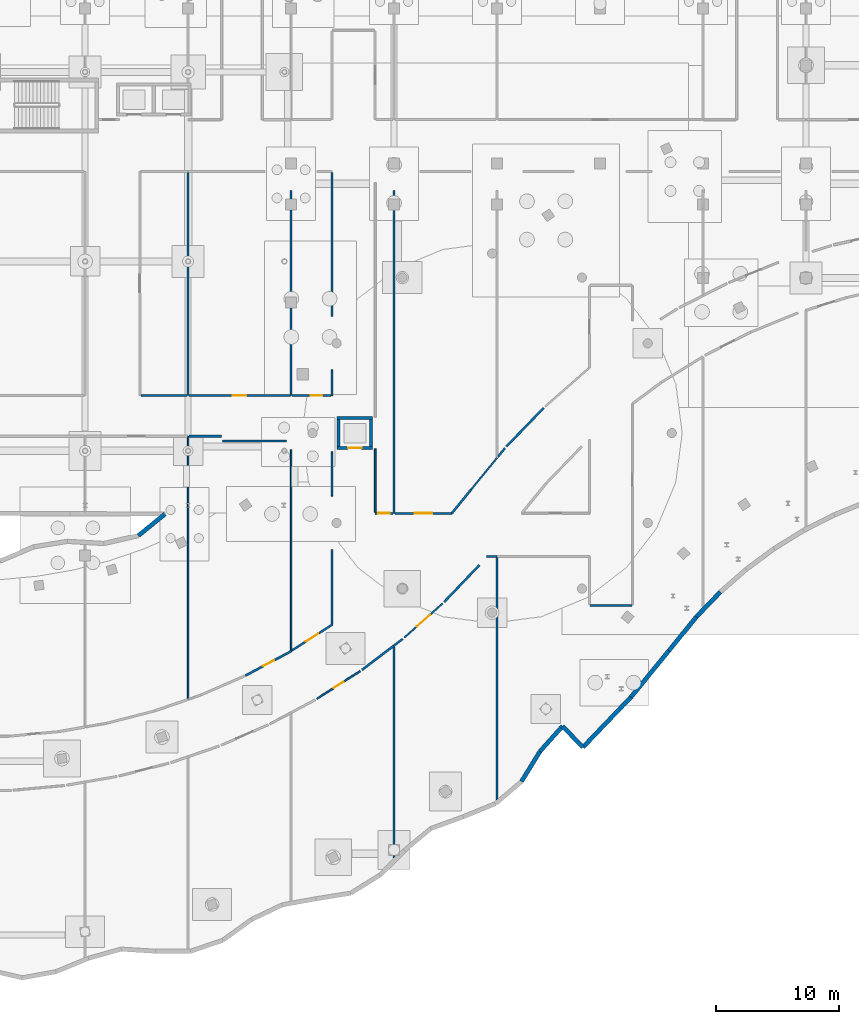
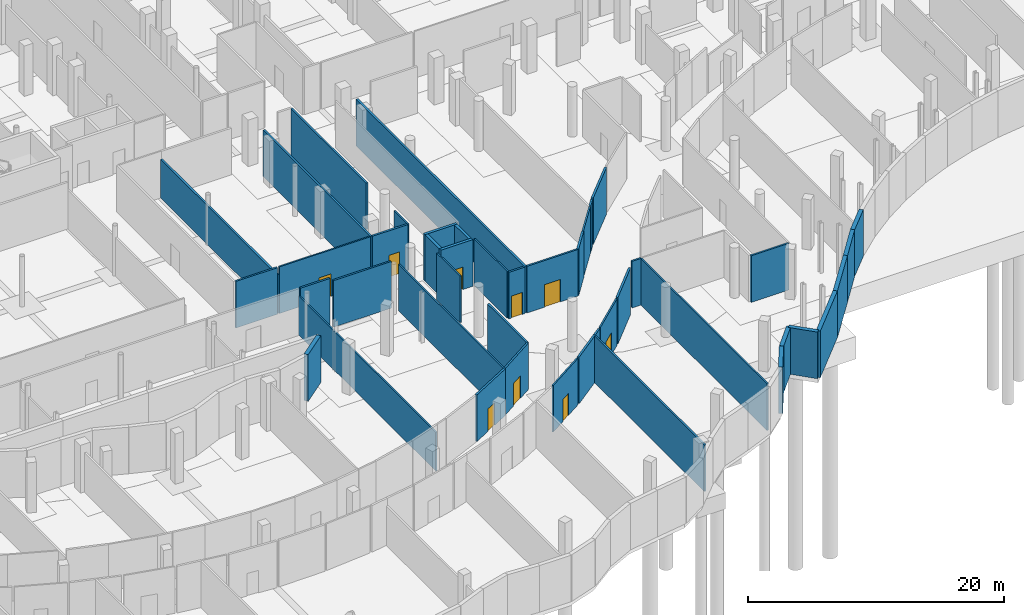
# One storey, part 28 of 45: 44 walls, 9 doors, 9 openings.
"""IFC4 building model written with IfcOpenShell, lengths in metres."""

from ifc_helpers import new_model, si_unit, direction, frame, frame_2d, origin, place, context, subcontext, project, spatial, rectangle, extrude, material, layer, layer_set, type_object, element, fill, save


model = new_model("IFC4")

# Units and contexts
model_context = context("Model", 3, precision=1e-05, world=origin(), true_north=direction((0.0, 1.0)))
body_context = subcontext(model_context, "Body", "Model", "MODEL_VIEW")
ifc_project = project(units=[si_unit("LENGTHUNIT", "METRE"), si_unit("AREAUNIT", "SQUARE_METRE"), si_unit("VOLUMEUNIT", "CUBIC_METRE"), si_unit("PLANEANGLEUNIT", "RADIAN"), si_unit("MASSUNIT", "GRAM", prefix="KILO")], contexts=[model_context])

# Site, building, storey
site_placement = place(None, origin())
site = spatial("IfcSite", under=ifc_project, at=site_placement, CompositionType="ELEMENT")
building_placement = place(site_placement, origin())
building = spatial("IfcBuilding", under=site, at=building_placement, Name="Selatvlak General Hospital", CompositionType="ELEMENT")
storey_placement = place(building_placement, frame((0.0, 0.0, -4.800048828125)))
storey = spatial("IfcBuildingStorey", under=building, at=storey_placement, Name="B1", CompositionType="ELEMENT", Elevation=-4.800048828125)

# Walls
ifc_material_1 = material(Name="Concrete C45/55", Category="concrete")
ifc_layer_1 = layer(ifc_material_1, 0.35009765625, Name="Concrete C45/55", Category="concrete")
ifc_layer_set_1 = layer_set([ifc_layer_1], Name="Concrete C45/55")
wall_type_1 = type_object("IfcWallType", Name="WALL-EW-05", PredefinedType="SHEAR", material=ifc_layer_set_1)
wall_1_placement = place(storey_placement, frame((116.616943359375, 41.0439453125, 0.0), z_axis=(0.0, 0.0, 1.0), x_axis=(-0.694723020802, -0.719277362613, 0.0)))
element("IfcWall", 1, at=wall_1_placement, inside=storey, type_object=wall_type_1, Name="B1 retaining wall 0069", PredefinedType="SHEAR", context=body_context, shape_type="SweptSolid", body=[
    extrude(rectangle(XDim=2.813720703125, YDim=0.35009765625, at=frame_2d((1.40673828125, 0.0))), origin(), (0.0, 0.0, 1.0), 4.449951171875),
])
wall_2_placement = place(storey_placement, frame((114.662109375, 39.02001953125, 0.0), z_axis=(0.0, 0.0, 1.0), x_axis=(-0.629318152112, -0.777147774508, 0.0)))
element("IfcWall", 2, at=wall_2_placement, inside=storey, type_object=wall_type_1, Name="B1 retaining wall 0070", PredefinedType="SHEAR", context=body_context, shape_type="SweptSolid", body=[
    extrude(rectangle(XDim=3.572265625, YDim=0.35009765625, at=frame_2d((1.7861328125, 0.0))), origin(), (0.0, 0.0, 1.0), 4.449951171875),
])
wall_3_placement = place(storey_placement, frame((112.4140625, 36.243896484375, 0.0), z_axis=(0.0, 0.0, 1.0), x_axis=(-0.633691233054, -0.773586078695, 0.0)))
element("IfcWall", 3, at=wall_3_placement, inside=storey, type_object=wall_type_1, Name="B1 retaining wall 0071", PredefinedType="SHEAR", context=body_context, shape_type="SweptSolid", body=[
    extrude(rectangle(XDim=4.895263671875, YDim=0.35009765625, at=frame_2d((2.44775390625, 0.0))), origin(), (0.0, 0.0, 1.0), 4.449951171875),
])
wall_4_placement = place(storey_placement, frame((109.31201171875, 32.45703125, 0.0), z_axis=(0.0, 0.0, 1.0), x_axis=(-0.690925489778, -0.722925976553, 0.0)))
element("IfcWall", 4, at=wall_4_placement, inside=storey, type_object=wall_type_1, Name="B1 retaining wall 0072", PredefinedType="SHEAR", context=body_context, shape_type="SweptSolid", body=[
    extrude(rectangle(XDim=5.6533203125, YDim=0.35009765625, at=frame_2d((2.82666015625, 0.0))), origin(), (0.0, 0.0, 1.0), 4.449951171875),
])
wall_5_placement = place(storey_placement, frame((105.406005859375, 28.3701171875, 0.0), z_axis=(0.0, 0.0, 1.0), x_axis=(-0.6951257728, 0.7188881415, 0.0)))
element("IfcWall", 5, at=wall_5_placement, inside=storey, type_object=wall_type_1, Name="B1 retaining wall 0073", PredefinedType="SHEAR", context=body_context, shape_type="SweptSolid", body=[
    extrude(rectangle(XDim=2.393798828125, YDim=0.35009765625, at=frame_2d((1.19677734375, 0.0))), origin(), (0.0, 0.0, 1.0), 4.449951171875),
])
wall_6_placement = place(storey_placement, frame((103.741943359375, 30.091064453125, 0.0), z_axis=(0.0, 0.0, 1.0), x_axis=(-0.666586745442, -0.745427468505, 0.0)))
element("IfcWall", 6, at=wall_6_placement, inside=storey, type_object=wall_type_1, Name="B1 retaining wall 0074", PredefinedType="SHEAR", context=body_context, shape_type="SweptSolid", body=[
    extrude(rectangle(XDim=2.74365234375, YDim=0.35009765625, at=frame_2d((1.371826171875, 0.0))), origin(), (0.0, 0.0, 1.0), 4.449951171875),
])
wall_7_placement = place(storey_placement, frame((101.9130859375, 28.0458984375, 0.0), z_axis=(0.0, 0.0, 1.0), x_axis=(-0.523712280497, -0.851895209082, 0.0)))
element("IfcWall", 7, at=wall_7_placement, inside=storey, type_object=wall_type_1, Name="B1 retaining wall 0075", PredefinedType="SHEAR", context=body_context, shape_type="SweptSolid", body=[
    extrude(rectangle(XDim=2.900634765625, YDim=0.35009765625, at=frame_2d((1.4501953125, 0.0))), origin(), (0.0, 0.0, 1.0), 4.449951171875),
])
wall_8_placement = place(storey_placement, frame((69.14208984375, 45.639892578125, 0.0), z_axis=(0.0, 0.0, 1.0), x_axis=(0.77670123909, 0.629869181017, 0.0)))
element("IfcWall", 8, at=wall_8_placement, inside=storey, type_object=wall_type_1, Name="B1 retaining wall 0133", PredefinedType="SHEAR", context=body_context, shape_type="SweptSolid", body=[
    extrude(rectangle(XDim=2.783447265625, YDim=0.35009765625, at=frame_2d((1.3916015625, 0.0))), origin(), (0.0, 0.0, 1.0), 4.449951171875),
])
ifc_material_2 = material(Name="Acoustic gypsum stud partition")
ifc_layer_2 = layer(ifc_material_2, 0.179931640625, Name="Acoustic gypsum stud partition")
ifc_layer_set_2 = layer_set([ifc_layer_2], Name="Acoustic gypsum stud partition")
wall_type_2 = type_object("IfcWallType", Name="WALL-PT-01", PredefinedType="PARTITIONING", material=ifc_layer_set_2)
wall_9_placement = place(storey_placement, frame((73.199951171875, 75.27587890625, 0.0), z_axis=(0.0, 0.0, 1.0), x_axis=(0.0, -1.0, 0.0)))
element("IfcWall", 9, at=wall_9_placement, inside=storey, type_object=wall_type_2, Name="B1 clinical partition PT-B1-0099", PredefinedType="PARTITIONING", context=body_context, shape_type="SweptSolid", body=[
    extrude(rectangle(XDim=18.2158203125, YDim=0.179931640625, at=frame_2d((9.10791015625, 0.0))), origin(), (0.0, 0.0, 1.0), 3.699951171875),
])

# Wall, opening, door
wall_10_placement = place(storey_placement, frame((81.638916015625, 36.22607421875, 0.0), z_axis=(0.0, 0.0, 1.0), x_axis=(-0.882373557975, -0.470549576758, 0.0)))
wall_10 = element("IfcWall", 10, at=wall_10_placement, inside=storey, type_object=wall_type_2, Name="B1 clinical partition PT-B1-0108", PredefinedType="PARTITIONING", context=body_context, shape_type="SweptSolid", body=[
    extrude(rectangle(XDim=4.26123046875, YDim=0.179931640625, at=frame_2d((2.130615234375, 0.0))), origin(), (0.0, 0.0, 1.0), 4.449951171875),
])
opening_1_placement = place(wall_10_placement, frame((1.631103515625, 0.0, 0.0)))
opening_1 = element("IfcOpeningElement", 11, at=opening_1_placement, cuts=wall_10, Name="Opening D-21", PredefinedType="OPENING", context=body_context, shape_type="SweptSolid", body=[
    extrude(rectangle(XDim=1.0, YDim=2.14990234375, at=frame_2d((0.5, 1.074951171875))), frame((0.0, 0.099853515625, 0.0), z_axis=(0.0, -1.0, 0.0), x_axis=(1.0, 0.0, 0.0)), (0.0, 0.0, 1.0), 0.199951171875),
])
ifc_material_3 = material(Name="Laboratory fire door")
door_type_1 = type_object("IfcDoorType", Name="DOOR-D-21", OperationType="NOTDEFINED", PredefinedType="DOOR", material=ifc_material_3)
door_1_placement = place(opening_1_placement, origin())
door_1 = element("IfcDoor", 12, at=door_1_placement, inside=storey, type_object=door_type_1, Name="B1 Biomedical Supply Store 21 door", OperationType="SINGLE_SWING_RIGHT", OverallHeight=2.14990234375, OverallWidth=1.0, PredefinedType="DOOR", context=body_context, shape_type="SweptSolid", body=[
    extrude(rectangle(XDim=1.0, YDim=2.14990234375, at=frame_2d((0.5, 1.074951171875))), frame((0.0, 0.02490234375, 0.0), z_axis=(0.0, -1.0, 0.0), x_axis=(1.0, 0.0, 0.0)), (0.0, 0.0, 1.0), 0.050048828125),
])
fill(opening_1, door_1)

# Walls
wall_11_placement = place(storey_placement, frame((73.263916015625, 53.739990234375, 0.0), z_axis=(0.0, 0.0, 1.0), x_axis=(1.0, 0.0, 0.0)))
element("IfcWall", 13, at=wall_11_placement, inside=storey, type_object=wall_type_2, Name="B1 clinical partition PT-B1-0111", PredefinedType="PARTITIONING", context=body_context, shape_type="SweptSolid", body=[
    extrude(rectangle(XDim=2.676025390625, YDim=0.179931640625, at=frame_2d((1.337890625, 0.0))), origin(), (0.0, 0.0, 1.0), 4.449951171875),
])
wall_12_placement = place(storey_placement, frame((87.376953125, 34.68310546875, 0.0), z_axis=(0.0, 0.0, 1.0), x_axis=(0.796534911727, 0.604592535846, 0.0)))
element("IfcWall", 14, at=wall_12_placement, inside=storey, type_object=wall_type_2, Name="B1 clinical partition PT-B1-0117", PredefinedType="PARTITIONING", context=body_context, shape_type="SweptSolid", body=[
    extrude(rectangle(XDim=3.29296875, YDim=0.179931640625, at=frame_2d((1.646484375, 0.0))), origin(), (0.0, 0.0, 1.0), 4.449951171875),
])
wall_13_placement = place(storey_placement, frame((84.93994140625, 44.4990234375, 0.0), z_axis=(0.0, 0.0, 1.0), x_axis=(0.0, -1.0, 0.0)))
element("IfcWall", 15, at=wall_13_placement, inside=storey, type_object=wall_type_2, Name="B1 clinical partition PT-B1-0120", PredefinedType="PARTITIONING", context=body_context, shape_type="SweptSolid", body=[
    extrude(rectangle(XDim=6.115966796875, YDim=0.179931640625, at=frame_2d((3.05810546875, 0.0))), origin(), (0.0, 0.0, 1.0), 4.449951171875),
])
wall_14_placement = place(storey_placement, frame((90.0, 73.7900390625, 0.0), z_axis=(0.0, 0.0, 1.0), x_axis=(0.0, -1.0, 0.0)))
element("IfcWall", 16, at=wall_14_placement, inside=storey, type_object=wall_type_2, Name="B1 clinical partition PT-B1-0123", PredefinedType="PARTITIONING", context=body_context, shape_type="SweptSolid", body=[
    extrude(rectangle(XDim=26.330078125, YDim=0.179931640625, at=frame_2d((13.1650390625, 0.0))), origin(), (0.0, 0.0, 1.0), 4.449951171875),
])

# Wall, opening, door
wall_15_placement = place(storey_placement, frame((84.8759765625, 57.06005859375, 0.0), z_axis=(0.0, 0.0, 1.0), x_axis=(-1.0, 0.0, 0.0)))
wall_15 = element("IfcWall", 17, at=wall_15_placement, inside=storey, type_object=wall_type_2, Name="B1 clinical partition PT-B1-0129", PredefinedType="PARTITIONING", context=body_context, shape_type="SweptSolid", body=[
    extrude(rectangle(XDim=3.197998046875, YDim=0.179931640625, at=frame_2d((1.59912109375, 0.0))), origin(), (0.0, 0.0, 1.0), 4.449951171875),
])
opening_2_placement = place(wall_15_placement, frame((0.739990234375, 0.0, 0.0)))
opening_2 = element("IfcOpeningElement", 18, at=opening_2_placement, cuts=wall_15, Name="Opening D-02", PredefinedType="OPENING", context=body_context, shape_type="SweptSolid", body=[
    extrude(rectangle(XDim=0.949951171875, YDim=2.10009765625, at=frame_2d((0.47509765625, 1.050048828125))), frame((0.0, 0.099853515625, 0.0), z_axis=(0.0, -1.0, 0.0), x_axis=(1.0, 0.0, 0.0)), (0.0, 0.0, 1.0), 0.199951171875),
])
ifc_material_4 = material(Name="Moisture-resistant en-suite door")
door_type_2 = type_object("IfcDoorType", Name="DOOR-D-02", OperationType="NOTDEFINED", PredefinedType="DOOR", material=ifc_material_4)
door_2_placement = place(opening_2_placement, origin())
door_2 = element("IfcDoor", 19, at=door_2_placement, inside=storey, type_object=door_type_2, Name="B1 Accessible Wheelchair Parking Bay Zone 26 door", OperationType="SINGLE_SWING_LEFT", OverallHeight=2.10009765625, OverallWidth=0.949951171875, PredefinedType="DOOR", context=body_context, shape_type="SweptSolid", body=[
    extrude(rectangle(XDim=0.949951171875, YDim=2.10009765625, at=frame_2d((0.47509765625, 1.050048828125))), frame((0.0, 0.02490234375, 0.0), z_axis=(0.0, -1.0, 0.0), x_axis=(1.0, 0.0, 0.0)), (0.0, 0.0, 1.0), 0.050048828125),
])
fill(opening_2, door_2)

# Walls
wall_16_placement = place(storey_placement, frame((94.0791015625, 40.218994140625, 0.0), z_axis=(0.0, 0.0, 1.0), x_axis=(0.690956969987, 0.722895888511, 0.0)))
element("IfcWall", 20, at=wall_16_placement, inside=storey, type_object=wall_type_2, Name="B1 clinical partition PT-B1-0132", PredefinedType="PARTITIONING", context=body_context, shape_type="SweptSolid", body=[
    extrude(rectangle(XDim=4.173583984375, YDim=0.179931640625, at=frame_2d((2.0869140625, 0.0))), origin(), (0.0, 0.0, 1.0), 4.449951171875),
])
wall_17_placement = place(storey_placement, frame((96.285888671875, 49.39501953125, 0.0), z_axis=(0.0, 0.0, 1.0), x_axis=(-0.631248128611, -0.775580943632, 0.0)))
element("IfcWall", 21, at=wall_17_placement, inside=storey, type_object=wall_type_2, Name="B1 clinical partition PT-B1-0138", PredefinedType="PARTITIONING", context=body_context, shape_type="SweptSolid", body=[
    extrude(rectangle(XDim=2.494873046875, YDim=0.179931640625, at=frame_2d((1.24755859375, 0.0))), origin(), (0.0, 0.0, 1.0), 4.449951171875),
])
wall_18_placement = place(storey_placement, frame((102.194091796875, 56.04296875, 0.0), z_axis=(0.0, 0.0, 1.0), x_axis=(-0.694729493299, -0.719271111015, 0.0)))
element("IfcWall", 22, at=wall_18_placement, inside=storey, type_object=wall_type_2, Name="B1 clinical partition PT-B1-0156", PredefinedType="PARTITIONING", context=body_context, shape_type="SweptSolid", body=[
    extrude(rectangle(XDim=4.357177734375, YDim=0.179931640625, at=frame_2d((2.1787109375, 0.0))), origin(), (0.0, 0.0, 1.0), 4.449951171875),
])
ifc_layer_3 = layer(ifc_material_2, 0.1650390625, Name="Acoustic gypsum stud partition")
ifc_layer_set_3 = layer_set([ifc_layer_3], Name="Acoustic gypsum stud partition")
wall_type_3 = type_object("IfcWallType", Name="WALL-PT-02", PredefinedType="PARTITIONING", material=ifc_layer_set_3)
wall_19_placement = place(storey_placement, frame((73.114013671875, 57.06005859375, 0.0), z_axis=(0.0, 0.0, 1.0), x_axis=(-1.0, 0.0, 0.0)))
element("IfcWall", 23, at=wall_19_placement, inside=storey, type_object=wall_type_3, Name="B1 clinical partition PT-B1-0100", PredefinedType="PARTITIONING", context=body_context, shape_type="SweptSolid", body=[
    extrude(rectangle(XDim=3.77490234375, YDim=0.1650390625, at=frame_2d((1.887451171875, 0.0))), origin(), (0.0, 0.0, 1.0), 4.449951171875),
])
wall_20_placement = place(storey_placement, frame((76.0, 53.340087890625, 0.0), z_axis=(0.0, 0.0, 1.0), x_axis=(1.0, 0.0, 0.0)))
element("IfcWall", 24, at=wall_20_placement, inside=storey, type_object=wall_type_3, Name="B1 clinical partition PT-B1-0106", PredefinedType="PARTITIONING", context=body_context, shape_type="SweptSolid", body=[
    extrude(rectangle(XDim=5.241943359375, YDim=0.1650390625, at=frame_2d((2.62109375, 0.0))), origin(), (0.0, 0.0, 1.0), 4.449951171875),
])
wall_21_placement = place(storey_placement, frame((81.60009765625, 73.7900390625, 0.0), z_axis=(0.0, 0.0, 1.0), x_axis=(0.0, -1.0, 0.0)))
element("IfcWall", 25, at=wall_21_placement, inside=storey, type_object=wall_type_3, Name="B1 clinical partition PT-B1-0112", PredefinedType="PARTITIONING", context=body_context, shape_type="SweptSolid", body=[
    extrude(rectangle(XDim=16.72998046875, YDim=0.1650390625, at=frame_2d((8.364990234375, 0.0))), origin(), (0.0, 0.0, 1.0), 4.449951171875),
])
wall_22_placement = place(storey_placement, frame((90.0, 36.56591796875, 0.0), z_axis=(0.0, 0.0, 1.0), x_axis=(0.0, -1.0, 0.0)))
element("IfcWall", 26, at=wall_22_placement, inside=storey, type_object=wall_type_3, Name="B1 clinical partition PT-B1-0118", PredefinedType="PARTITIONING", context=body_context, shape_type="SweptSolid", body=[
    extrude(rectangle(XDim=17.218994140625, YDim=0.1650390625, at=frame_2d((8.609375, 0.0))), origin(), (0.0, 0.0, 1.0), 4.449951171875),
])

# Wall, opening, door
wall_23_placement = place(storey_placement, frame((84.969970703125, 38.383056640625, 0.0), z_axis=(0.0, 0.0, 1.0), x_axis=(-0.842322219396, -0.538974283906, 0.0)))
wall_23 = element("IfcWall", 27, at=wall_23_placement, inside=storey, type_object=wall_type_3, Name="B1 clinical partition PT-B1-0121", PredefinedType="PARTITIONING", context=body_context, shape_type="SweptSolid", body=[
    extrude(rectangle(XDim=3.926025390625, YDim=0.1650390625, at=frame_2d((1.962890625, 0.0))), origin(), (0.0, 0.0, 1.0), 4.449951171875),
])
opening_3_placement = place(wall_23_placement, frame((1.363037109375, 0.0, 0.0)))
opening_3 = element("IfcOpeningElement", 28, at=opening_3_placement, cuts=wall_23, Name="Opening D-07", PredefinedType="OPENING", context=body_context, shape_type="SweptSolid", body=[
    extrude(rectangle(XDim=1.199951171875, YDim=2.14990234375, at=frame_2d((0.60009765625, 1.074951171875))), frame((0.0, 0.092529296875, 0.0), z_axis=(0.0, -1.0, 0.0), x_axis=(1.0, 0.0, 0.0)), (0.0, 0.0, 1.0), 0.18505859375),
])
ifc_material_5 = material(Name="Plant and store fire door")
door_type_3 = type_object("IfcDoorType", Name="DOOR-D-07", OperationType="NOTDEFINED", PredefinedType="DOOR", material=ifc_material_5)
door_3_placement = place(opening_3_placement, origin())
door_3 = element("IfcDoor", 29, at=door_3_placement, inside=storey, type_object=door_type_3, Name="B1 Biomedical Supply Store 24 door", OperationType="SINGLE_SWING_LEFT", OverallHeight=2.14990234375, OverallWidth=1.199951171875, PredefinedType="DOOR", context=body_context, shape_type="SweptSolid", body=[
    extrude(rectangle(XDim=1.199951171875, YDim=2.14990234375, at=frame_2d((0.60009765625, 1.074951171875))), frame((0.0, 0.02490234375, 0.0), z_axis=(0.0, -1.0, 0.0), x_axis=(1.0, 0.0, 0.0)), (0.0, 0.0, 1.0), 0.050048828125),
])
fill(opening_3, door_3)

wall_24_placement = place(storey_placement, frame((89.9140625, 47.4599609375, 0.0), z_axis=(0.0, 0.0, 1.0), x_axis=(-1.0, 0.0, 0.0)))
wall_24 = element("IfcWall", 30, at=wall_24_placement, inside=storey, type_object=wall_type_3, Name="B1 clinical partition PT-B1-0124", PredefinedType="PARTITIONING", context=body_context, shape_type="SweptSolid", body=[
    extrude(rectangle(XDim=1.4541015625, YDim=0.1650390625, at=frame_2d((0.72705078125, 0.0))), origin(), (0.0, 0.0, 1.0), 4.449951171875),
])
opening_4_placement = place(wall_24_placement, frame((0.251953125, 0.0, 0.0)))
opening_4 = element("IfcOpeningElement", 31, at=opening_4_placement, cuts=wall_24, Name="Opening D-02", PredefinedType="OPENING", context=body_context, shape_type="SweptSolid", body=[
    extrude(rectangle(XDim=0.949951171875, YDim=2.10009765625, at=frame_2d((0.47509765625, 1.050048828125))), frame((0.0, 0.092529296875, 0.0), z_axis=(0.0, -1.0, 0.0), x_axis=(1.0, 0.0, 0.0)), (0.0, 0.0, 1.0), 0.18505859375),
])
door_4_placement = place(opening_4_placement, origin())
door_4 = element("IfcDoor", 32, at=door_4_placement, inside=storey, type_object=door_type_2, Name="B1 Two-Way Underground Loop Car Park Aisle 25 door", OperationType="SINGLE_SWING_RIGHT", OverallHeight=2.10009765625, OverallWidth=0.949951171875, PredefinedType="DOOR", context=body_context, shape_type="SweptSolid", body=[
    extrude(rectangle(XDim=0.949951171875, YDim=2.10009765625, at=frame_2d((0.47509765625, 1.050048828125))), frame((0.0, 0.02490234375, 0.0), z_axis=(0.0, -1.0, 0.0), x_axis=(1.0, 0.0, 0.0)), (0.0, 0.0, 1.0), 0.050048828125),
])
fill(opening_4, door_4)

# Walls
wall_25_placement = place(storey_placement, frame((84.93994140625, 75.25390625, 0.0), z_axis=(0.0, 0.0, 1.0), x_axis=(0.0, -1.0, 0.0)))
element("IfcWall", 33, at=wall_25_placement, inside=storey, type_object=wall_type_3, Name="B1 clinical partition PT-B1-0127", PredefinedType="PARTITIONING", context=body_context, shape_type="SweptSolid", body=[
    extrude(rectangle(XDim=11.7529296875, YDim=0.1650390625, at=frame_2d((5.87646484375, 0.0))), origin(), (0.0, 0.0, 1.0), 4.449951171875),
])
wall_26_placement = place(storey_placement, frame((90.0, 36.674072265625, 0.0), z_axis=(0.0, 0.0, 1.0), x_axis=(0.796962746225, 0.60402846053, 0.0)))
element("IfcWall", 34, at=wall_26_placement, inside=storey, type_object=wall_type_3, Name="B1 clinical partition PT-B1-0130", PredefinedType="PARTITIONING", context=body_context, shape_type="SweptSolid", body=[
    extrude(rectangle(XDim=0.880615234375, YDim=0.1650390625, at=frame_2d((0.4404296875, 0.0))), origin(), (0.0, 0.0, 1.0), 4.449951171875),
])
wall_27_placement = place(storey_placement, frame((97.544921875, 43.93994140625, 0.0), z_axis=(0.0, 0.0, 1.0), x_axis=(1.0, 0.0, 0.0)))
element("IfcWall", 35, at=wall_27_placement, inside=storey, type_object=wall_type_3, Name="B1 clinical partition PT-B1-0133", PredefinedType="PARTITIONING", context=body_context, shape_type="SweptSolid", body=[
    extrude(rectangle(XDim=0.85498046875, YDim=0.1650390625, at=frame_2d((0.427490234375, 0.0))), origin(), (0.0, 0.0, 1.0), 4.449951171875),
])

# Wall, opening, door
wall_28_placement = place(storey_placement, frame((94.7109375, 47.4599609375, 0.0), z_axis=(0.0, 0.0, 1.0), x_axis=(-1.0, 0.0, 0.0)))
wall_28 = element("IfcWall", 36, at=wall_28_placement, inside=storey, type_object=wall_type_3, Name="B1 clinical partition PT-B1-0139", PredefinedType="PARTITIONING", context=body_context, shape_type="SweptSolid", body=[
    extrude(rectangle(XDim=4.625, YDim=0.1650390625, at=frame_2d((2.3125, 0.0))), origin(), (0.0, 0.0, 1.0), 4.449951171875),
])
opening_5_placement = place(wall_28_placement, frame((1.5869140625, 0.0, 0.0)))
opening_5 = element("IfcOpeningElement", 37, at=opening_5_placement, cuts=wall_28, Name="Opening D-12", PredefinedType="OPENING", context=body_context, shape_type="SweptSolid", body=[
    extrude(rectangle(XDim=1.449951171875, YDim=2.14990234375, at=frame_2d((0.72509765625, 1.074951171875))), frame((0.0, 0.092529296875, 0.0), z_axis=(0.0, -1.0, 0.0), x_axis=(1.0, 0.0, 0.0)), (0.0, 0.0, 1.0), 0.18505859375),
])
ifc_material_6 = material(Name="Isolation anteroom door")
door_type_4 = type_object("IfcDoorType", Name="DOOR-D-12", OperationType="NOTDEFINED", PredefinedType="DOOR", material=ifc_material_6)
door_5_placement = place(opening_5_placement, origin())
door_5 = element("IfcDoor", 38, at=door_5_placement, inside=storey, type_object=door_type_4, Name="B1 Two-Way Underground Loop Car Park Aisle 28 door", OperationType="SINGLE_SWING_LEFT", OverallHeight=2.14990234375, OverallWidth=1.449951171875, PredefinedType="DOOR", context=body_context, shape_type="SweptSolid", body=[
    extrude(rectangle(XDim=1.449951171875, YDim=2.14990234375, at=frame_2d((0.72509765625, 1.074951171875))), frame((0.0, 0.02490234375, 0.0), z_axis=(0.0, -1.0, 0.0), x_axis=(1.0, 0.0, 0.0)), (0.0, 0.0, 1.0), 0.050048828125),
])
fill(opening_5, door_5)

# Walls
wall_29_placement = place(storey_placement, frame((106.0, 39.93994140625, 0.0), z_axis=(0.0, 0.0, 1.0), x_axis=(1.0, 0.0, 0.0)))
element("IfcWall", 39, at=wall_29_placement, inside=storey, type_object=wall_type_3, Name="B1 clinical partition PT-B1-0142", PredefinedType="PARTITIONING", context=body_context, shape_type="SweptSolid", body=[
    extrude(rectangle(XDim=3.39990234375, YDim=0.1650390625, at=frame_2d((1.699951171875, 0.0))), origin(), (0.0, 0.0, 1.0), 4.449951171875),
])
wall_30_placement = place(storey_placement, frame((99.0458984375, 52.77197265625, 0.0), z_axis=(0.0, 0.0, 1.0), x_axis=(-0.632569979501, -0.774503209182, 0.0)))
element("IfcWall", 40, at=wall_30_placement, inside=storey, type_object=wall_type_3, Name="B1 clinical partition PT-B1-0157", PredefinedType="PARTITIONING", context=body_context, shape_type="SweptSolid", body=[
    extrude(rectangle(XDim=0.896240234375, YDim=0.1650390625, at=frame_2d((0.4482421875, 0.0))), origin(), (0.0, 0.0, 1.0), 4.449951171875),
])
ifc_material_7 = material(Name="Moisture-resistant clinical partition")
ifc_layer_4 = layer(ifc_material_7, 0.135009765625, Name="Moisture-resistant clinical partition")
ifc_layer_set_4 = layer_set([ifc_layer_4], Name="Moisture-resistant clinical partition")
wall_type_4 = type_object("IfcWallType", Name="WALL-PT-04", PredefinedType="PARTITIONING", material=ifc_layer_set_4)
wall_31_placement = place(storey_placement, frame((73.199951171875, 53.739990234375, 0.0), z_axis=(0.0, 0.0, 1.0), x_axis=(0.0, -1.0, 0.0)))
element("IfcWall", 41, at=wall_31_placement, inside=storey, type_object=wall_type_4, Name="B1 clinical partition PT-B1-0092", PredefinedType="PARTITIONING", context=body_context, shape_type="SweptSolid", body=[
    extrude(rectangle(XDim=21.4619140625, YDim=0.135009765625, at=frame_2d((10.73095703125, 0.0))), origin(), (0.0, 0.0, 1.0), 3.699951171875),
])
wall_32_placement = place(storey_placement, frame((81.60009765625, 52.654052734375, 0.0), z_axis=(0.0, 0.0, 1.0), x_axis=(0.0, -1.0, 0.0)))
element("IfcWall", 42, at=wall_32_placement, inside=storey, type_object=wall_type_4, Name="B1 clinical partition PT-B1-0107", PredefinedType="PARTITIONING", context=body_context, shape_type="SweptSolid", body=[
    extrude(rectangle(XDim=16.427978515625, YDim=0.135009765625, at=frame_2d((8.2138671875, 0.0))), origin(), (0.0, 0.0, 1.0), 4.449951171875),
])

# Wall, opening, door
wall_33_placement = place(storey_placement, frame((81.52099609375, 57.06005859375, 0.0), z_axis=(0.0, 0.0, 1.0), x_axis=(-1.0, 0.0, 0.0)))
wall_33 = element("IfcWall", 43, at=wall_33_placement, inside=storey, type_object=wall_type_4, Name="B1 clinical partition PT-B1-0113", PredefinedType="PARTITIONING", context=body_context, shape_type="SweptSolid", body=[
    extrude(rectangle(XDim=8.235107421875, YDim=0.135009765625, at=frame_2d((4.11767578125, 0.0))), origin(), (0.0, 0.0, 1.0), 4.449951171875),
])
opening_6_placement = place(wall_33_placement, frame((3.56689453125, 0.0, 0.0)))
opening_6 = element("IfcOpeningElement", 44, at=opening_6_placement, cuts=wall_33, Name="Opening D-22", PredefinedType="OPENING", context=body_context, shape_type="SweptSolid", body=[
    extrude(rectangle(XDim=1.10009765625, YDim=2.14990234375, at=frame_2d((0.550048828125, 1.074951171875))), frame((0.0, 0.077392578125, 0.0), z_axis=(0.0, -1.0, 0.0), x_axis=(1.0, 0.0, 0.0)), (0.0, 0.0, 1.0), 0.155029296875),
])
ifc_material_8 = material(Name="Pharmacy security fire door")
door_type_5 = type_object("IfcDoorType", Name="DOOR-D-22", OperationType="NOTDEFINED", PredefinedType="DOOR", material=ifc_material_8)
door_6_placement = place(opening_6_placement, origin())
door_6 = element("IfcDoor", 45, at=door_6_placement, inside=storey, type_object=door_type_5, Name="B1 Two-Way Underground Loop Car Park Aisle 22 door", OperationType="SINGLE_SWING_LEFT", OverallHeight=2.14990234375, OverallWidth=1.10009765625, PredefinedType="DOOR", context=body_context, shape_type="SweptSolid", body=[
    extrude(rectangle(XDim=1.10009765625, YDim=2.14990234375, at=frame_2d((0.550048828125, 1.074951171875))), frame((0.0, 0.02490234375, 0.0), z_axis=(0.0, -1.0, 0.0), x_axis=(1.0, 0.0, 0.0)), (0.0, 0.0, 1.0), 0.050048828125),
])
fill(opening_6, door_6)

wall_34_placement = place(storey_placement, frame((83.716064453125, 32.3330078125, 0.0), z_axis=(0.0, 0.0, 1.0), x_axis=(0.842288395676, 0.539027140792, 0.0)))
wall_34 = element("IfcWall", 46, at=wall_34_placement, inside=storey, type_object=wall_type_4, Name="B1 clinical partition PT-B1-0116", PredefinedType="PARTITIONING", context=body_context, shape_type="SweptSolid", body=[
    extrude(rectangle(XDim=4.174072265625, YDim=0.135009765625, at=frame_2d((2.0869140625, 0.0))), origin(), (0.0, 0.0, 1.0), 4.449951171875),
])
opening_7_placement = place(wall_34_placement, frame((1.612060546875, 0.0, 0.0)))
opening_7 = element("IfcOpeningElement", 47, at=opening_7_placement, cuts=wall_34, Name="Opening D-02", PredefinedType="OPENING", context=body_context, shape_type="SweptSolid", body=[
    extrude(rectangle(XDim=0.949951171875, YDim=2.10009765625, at=frame_2d((0.47509765625, 1.050048828125))), frame((0.0, 0.077392578125, 0.0), z_axis=(0.0, -1.0, 0.0), x_axis=(1.0, 0.0, 0.0)), (0.0, 0.0, 1.0), 0.155029296875),
])
door_7_placement = place(opening_7_placement, origin())
door_7 = element("IfcDoor", 48, at=door_7_placement, inside=storey, type_object=door_type_2, Name="B1 Automated Pharmacy Robotics Plant 23 door", OperationType="SINGLE_SWING_RIGHT", OverallHeight=2.10009765625, OverallWidth=0.949951171875, PredefinedType="DOOR", context=body_context, shape_type="SweptSolid", body=[
    extrude(rectangle(XDim=0.949951171875, YDim=2.10009765625, at=frame_2d((0.47509765625, 1.050048828125))), frame((0.0, 0.02490234375, 0.0), z_axis=(0.0, -1.0, 0.0), x_axis=(1.0, 0.0, 0.0)), (0.0, 0.0, 1.0), 0.050048828125),
])
fill(opening_7, door_7)

# Walls
wall_35_placement = place(storey_placement, frame((84.93994140625, 52.467041015625, 0.0), z_axis=(0.0, 0.0, 1.0), x_axis=(0.0, -1.0, 0.0)))
element("IfcWall", 49, at=wall_35_placement, inside=storey, type_object=wall_type_4, Name="B1 clinical partition PT-B1-0119", PredefinedType="PARTITIONING", context=body_context, shape_type="SweptSolid", body=[
    extrude(rectangle(XDim=3.615966796875, YDim=0.135009765625, at=frame_2d((1.80810546875, 0.0))), origin(), (0.0, 0.0, 1.0), 4.449951171875),
])
wall_36_placement = place(storey_placement, frame((88.4599609375, 47.5380859375, 0.0), z_axis=(0.0, 0.0, 1.0), x_axis=(0.0, 1.0, 0.0)))
element("IfcWall", 50, at=wall_36_placement, inside=storey, type_object=wall_type_4, Name="B1 clinical partition PT-B1-0125", PredefinedType="PARTITIONING", context=body_context, shape_type="SweptSolid", body=[
    extrude(rectangle(XDim=5.181884765625, YDim=0.135009765625, at=frame_2d((2.5908203125, 0.0))), origin(), (0.0, 0.0, 1.0), 4.449951171875),
])
wall_37_placement = place(storey_placement, frame((84.93994140625, 59.14892578125, 0.0), z_axis=(0.0, 0.0, 1.0), x_axis=(0.0, -1.0, 0.0)))
element("IfcWall", 51, at=wall_37_placement, inside=storey, type_object=wall_type_4, Name="B1 clinical partition PT-B1-0128", PredefinedType="PARTITIONING", context=body_context, shape_type="SweptSolid", body=[
    extrude(rectangle(XDim=2.0888671875, YDim=0.135009765625, at=frame_2d((1.04443359375, 0.0))), origin(), (0.0, 0.0, 1.0), 4.449951171875),
])

# Wall, opening, door
wall_38_placement = place(storey_placement, frame((90.8369140625, 37.318115234375, 0.0), z_axis=(0.0, 0.0, 1.0), x_axis=(0.746227117169, 0.66569143723, 0.0)))
wall_38 = element("IfcWall", 52, at=wall_38_placement, inside=storey, type_object=wall_type_4, Name="B1 clinical partition PT-B1-0131", PredefinedType="PARTITIONING", context=body_context, shape_type="SweptSolid", body=[
    extrude(rectangle(XDim=4.17431640625, YDim=0.135009765625, at=frame_2d((2.087158203125, 0.0))), origin(), (0.0, 0.0, 1.0), 4.449951171875),
])
opening_8_placement = place(wall_38_placement, frame((1.386962890625, 0.0, 0.0)))
opening_8 = element("IfcOpeningElement", 53, at=opening_8_placement, cuts=wall_38, Name="Opening D-11", PredefinedType="OPENING", context=body_context, shape_type="SweptSolid", body=[
    extrude(rectangle(XDim=1.39990234375, YDim=2.14990234375, at=frame_2d((0.699951171875, 1.074951171875))), frame((0.0, 0.077392578125, 0.0), z_axis=(0.0, -1.0, 0.0), x_axis=(1.0, 0.0, 0.0)), (0.0, 0.0, 1.0), 0.155029296875),
])
ifc_material_9 = material(Name="Inpatient suite bed door")
door_type_6 = type_object("IfcDoorType", Name="DOOR-D-11", OperationType="NOTDEFINED", PredefinedType="DOOR", material=ifc_material_9)
door_8_placement = place(opening_8_placement, origin())
door_8 = element("IfcDoor", 54, at=door_8_placement, inside=storey, type_object=door_type_6, Name="B1 Biomedical Supply Store 27 door", OperationType="SINGLE_SWING_RIGHT", OverallHeight=2.14990234375, OverallWidth=1.39990234375, PredefinedType="DOOR", context=body_context, shape_type="SweptSolid", body=[
    extrude(rectangle(XDim=1.39990234375, YDim=2.14990234375, at=frame_2d((0.699951171875, 1.074951171875))), frame((0.0, 0.02490234375, 0.0), z_axis=(0.0, -1.0, 0.0), x_axis=(1.0, 0.0, 0.0)), (0.0, 0.0, 1.0), 0.050048828125),
])
fill(opening_8, door_8)

# Walls
wall_39_placement = place(storey_placement, frame((98.39990234375, 43.861083984375, 0.0), z_axis=(0.0, 0.0, 1.0), x_axis=(0.0, -1.0, 0.0)))
element("IfcWall", 55, at=wall_39_placement, inside=storey, type_object=wall_type_4, Name="B1 clinical partition PT-B1-0134", PredefinedType="PARTITIONING", context=body_context, shape_type="SweptSolid", body=[
    extrude(rectangle(XDim=19.755126953125, YDim=0.135009765625, at=frame_2d((9.87744140625, 0.0))), origin(), (0.0, 0.0, 1.0), 4.449951171875),
])
wall_40_placement = place(storey_placement, frame((98.39990234375, 51.98193359375, 0.0), z_axis=(0.0, 0.0, 1.0), x_axis=(-0.632780039334, -0.774331596811, 0.0)))
element("IfcWall", 56, at=wall_40_placement, inside=storey, type_object=wall_type_4, Name="B1 clinical partition PT-B1-0137", PredefinedType="PARTITIONING", context=body_context, shape_type="SweptSolid", body=[
    extrude(rectangle(XDim=3.3408203125, YDim=0.135009765625, at=frame_2d((1.67041015625, 0.0))), origin(), (0.0, 0.0, 1.0), 4.449951171875),
])

# Wall, opening, door
ifc_material_10 = material(Name="Concrete C40/50", Category="concrete")
ifc_layer_5 = layer(ifc_material_10, 0.25, Name="Concrete C40/50", Category="concrete")
ifc_layer_set_5 = layer_set([ifc_layer_5], Name="Concrete C40/50")
wall_type_5 = type_object("IfcWallType", Name="WALL-SW-03", PredefinedType="SHEAR", material=ifc_layer_set_5)
wall_41_placement = place(storey_placement, frame((85.35009765625, 52.77490234375, 0.0), z_axis=(0.0, 0.0, 1.0), x_axis=(1.0, 0.0, 0.0)))
wall_41 = element("IfcWall", 57, at=wall_41_placement, inside=storey, type_object=wall_type_5, Name="Lift LP-03 shaft wall B1 S", PredefinedType="SHEAR", context=body_context, shape_type="SweptSolid", body=[
    extrude(rectangle(XDim=2.89990234375, YDim=0.25, at=frame_2d((1.449951171875, 0.0))), origin(), (0.0, 0.0, 1.0), 4.449951171875),
])
opening_9_placement = place(wall_41_placement, frame((0.89990234375, 0.0, 0.0)))
opening_9 = element("IfcOpeningElement", 58, at=opening_9_placement, cuts=wall_41, Name="Opening LD-P1", PredefinedType="OPENING", context=body_context, shape_type="SweptSolid", body=[
    extrude(rectangle(XDim=1.10009765625, YDim=2.14990234375, at=frame_2d((0.550048828125, 1.074951171875))), frame((0.0, 0.135009765625, 0.0), z_axis=(0.0, -1.0, 0.0), x_axis=(1.0, 0.0, 0.0)), (0.0, 0.0, 1.0), 0.27001953125),
])
ifc_material_11 = material(Name="Stainless steel passenger lift landing door", Category="steel")
door_type_7 = type_object("IfcDoorType", Name="DOOR-LD-P1", OperationType="DOUBLE_DOOR_SLIDING", PredefinedType="DOOR", material=ifc_material_11)
door_9_placement = place(opening_9_placement, origin())
door_9 = element("IfcDoor", 59, at=door_9_placement, inside=storey, type_object=door_type_7, Name="Lift LP-03 sliding landing door on B1", OperationType="DOUBLE_DOOR_SLIDING", OverallHeight=2.14990234375, OverallWidth=1.10009765625, PredefinedType="DOOR", context=body_context, shape_type="SweptSolid", body=[
    extrude(rectangle(XDim=1.10009765625, YDim=2.14990234375, at=frame_2d((0.550048828125, 1.074951171875))), frame((0.0, 0.02490234375, 0.0), z_axis=(0.0, -1.0, 0.0), x_axis=(1.0, 0.0, 0.0)), (0.0, 0.0, 1.0), 0.050048828125),
])
fill(opening_9, door_9)

# Walls
wall_42_placement = place(storey_placement, frame((88.125, 52.89990234375, 0.0), z_axis=(0.0, 0.0, 1.0), x_axis=(0.0, 1.0, 0.0)))
element("IfcWall", 60, at=wall_42_placement, inside=storey, type_object=wall_type_5, Name="Lift LP-03 shaft wall B1 E", PredefinedType="SHEAR", context=body_context, shape_type="SweptSolid", body=[
    extrude(rectangle(XDim=2.2001953125, YDim=0.25, at=frame_2d((1.10009765625, 0.0))), origin(), (0.0, 0.0, 1.0), 4.449951171875),
])
wall_43_placement = place(storey_placement, frame((88.25, 55.22509765625, 0.0), z_axis=(0.0, 0.0, 1.0), x_axis=(-1.0, 0.0, 0.0)))
element("IfcWall", 61, at=wall_43_placement, inside=storey, type_object=wall_type_5, Name="Lift LP-03 shaft wall B1 N", PredefinedType="SHEAR", context=body_context, shape_type="SweptSolid", body=[
    extrude(rectangle(XDim=2.89990234375, YDim=0.25, at=frame_2d((1.449951171875, 0.0))), origin(), (0.0, 0.0, 1.0), 4.449951171875),
])
wall_44_placement = place(storey_placement, frame((85.47509765625, 55.10009765625, 0.0), z_axis=(0.0, 0.0, 1.0), x_axis=(0.0, -1.0, 0.0)))
element("IfcWall", 62, at=wall_44_placement, inside=storey, type_object=wall_type_5, Name="Lift LP-03 shaft wall B1 W", PredefinedType="SHEAR", context=body_context, shape_type="SweptSolid", body=[
    extrude(rectangle(XDim=2.2001953125, YDim=0.25, at=frame_2d((1.10009765625, 0.0))), origin(), (0.0, 0.0, 1.0), 4.449951171875),
])

save(model, "model.ifc")
